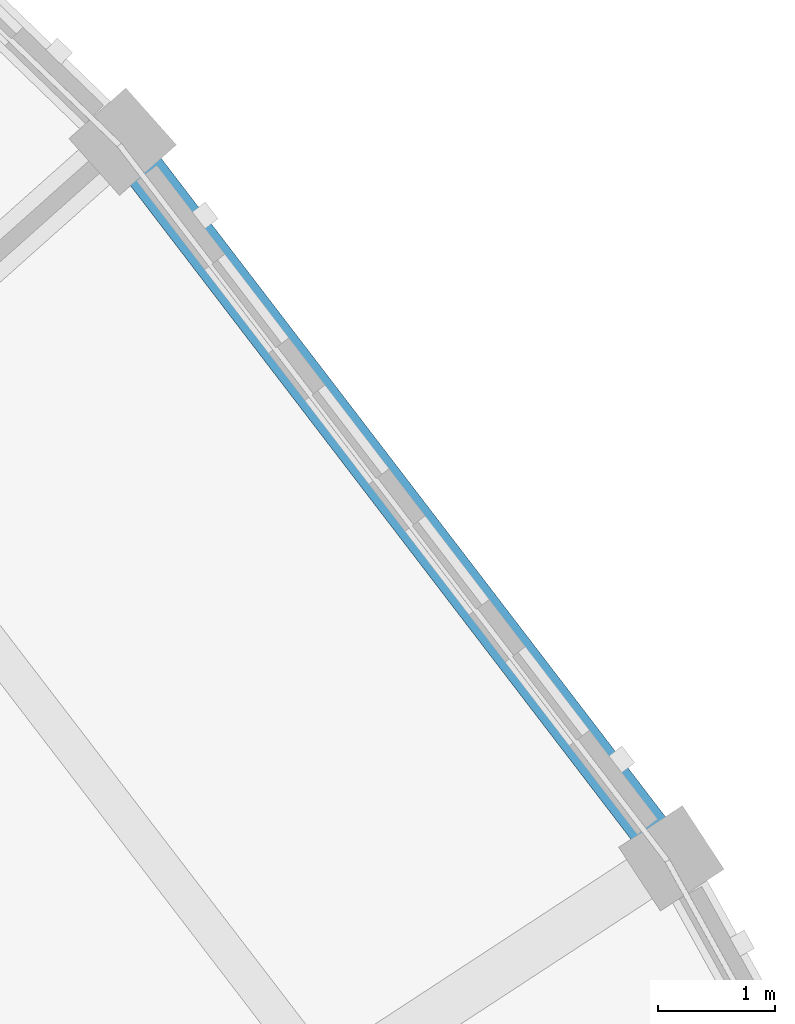
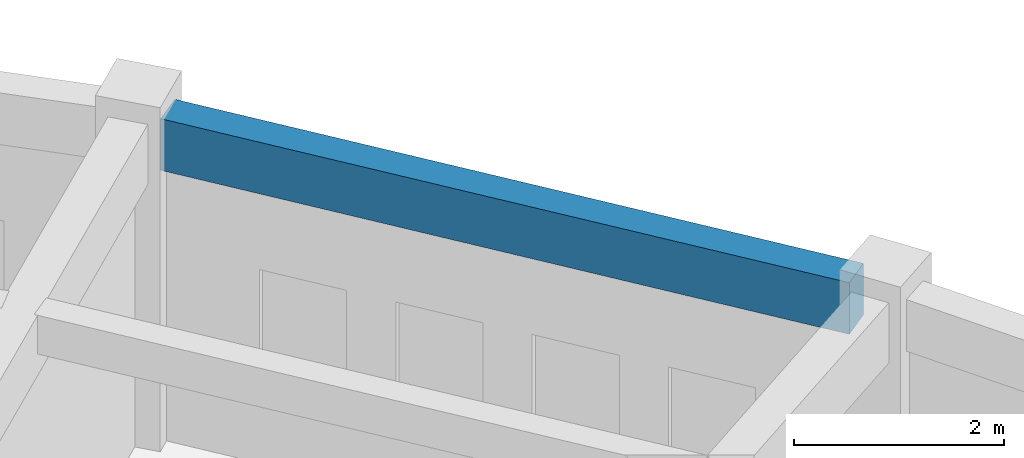
# One storey, part 94 of 159: 1 beam.
"""IFC4 building model written with IfcOpenShell, lengths in metres."""

from ifc_helpers import new_model, si_unit, direction, frame, origin, origin_2d, place, context, subcontext, project, spatial, rectangle, extrude, material, material_profile, profile_set, type_object, element, save


model = new_model("IFC4")

# Units and contexts
model_context = context("Model", 3, precision=1e-05, world=origin(), true_north=direction((0.0, 1.0)))
body_context = subcontext(model_context, "Body", "Model", "MODEL_VIEW")
ifc_project = project(units=[si_unit("LENGTHUNIT", "METRE"), si_unit("AREAUNIT", "SQUARE_METRE"), si_unit("VOLUMEUNIT", "CUBIC_METRE"), si_unit("PLANEANGLEUNIT", "RADIAN"), si_unit("MASSUNIT", "GRAM", prefix="KILO")], contexts=[model_context])

# Site, building, storey
site_placement = place(None, origin())
site = spatial("IfcSite", under=ifc_project, at=site_placement, CompositionType="ELEMENT")
building_placement = place(site_placement, origin())
building = spatial("IfcBuilding", under=site, at=building_placement, Name="Celadon Cloister-Ring School", CompositionType="ELEMENT")
storey_placement = place(building_placement, frame((0.0, 0.0, 4.5)))
storey = spatial("IfcBuildingStorey", under=building, at=storey_placement, Name="L01", CompositionType="ELEMENT", Elevation=4.5)

# Beam
ifc_material = material(Name="Concrete C35/45", Category="concrete")
ifc_material_profile = material_profile(ifc_material, rectangle(XDim=0.35009765625, YDim=0.60009765625, at=origin_2d()), Name="RC350X600")
ifc_profile_set = profile_set([ifc_material_profile], Name="Concrete C35/45")
beam_type = type_object("IfcBeamType", Name="SP-01", PredefinedType="SPANDREL", material=ifc_profile_set)
beam_placement = place(storey_placement, frame((130.333984375, 87.705078125, 3.47998046875), z_axis=(-0.608023888407, 0.793918730807, 0.0), x_axis=(-0.793918730807, -0.608023888407, 0.0)))
element("IfcBeam", 1, at=beam_placement, inside=storey, type_object=beam_type, Name="Beam 0385", PredefinedType="SPANDREL", context=body_context, shape_type="SweptSolid", body=[
    extrude(rectangle(XDim=0.35009765625, YDim=0.60009765625, at=origin_2d()), origin(), (0.0, 0.0, 1.0), 7.10498046875),
])

save(model, "model.ifc")
